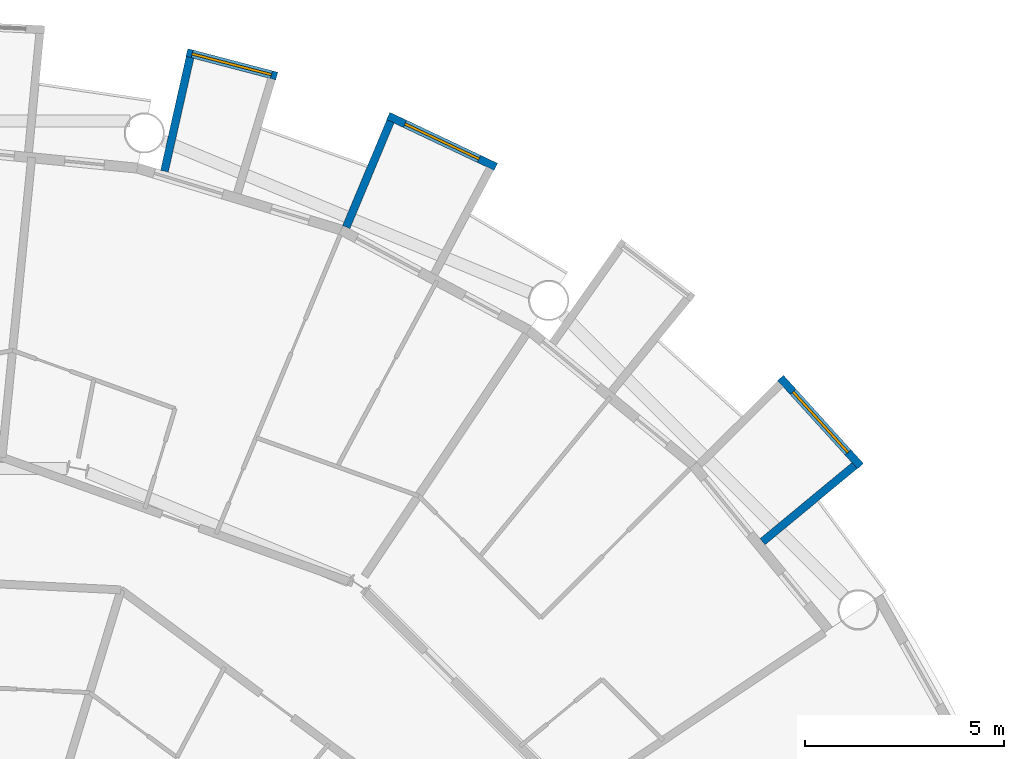
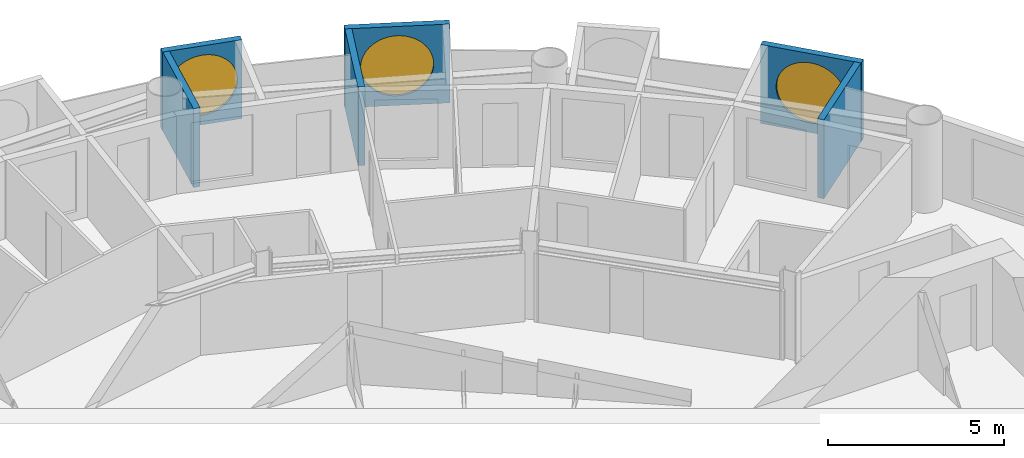
# One storey, part 23 of 26: 6 walls, 3 windows, 3 openings.
"""IFC4 building model written with IfcOpenShell, lengths in metres."""

from ifc_helpers import new_model, si_unit, direction, frame, frame_2d, origin, place, context, subcontext, project, spatial, rectangle, circle, extrude, material, layer, layer_set, type_object, element, fill, save


model = new_model("IFC4")

# Units and contexts
model_context = context("Model", 3, precision=1e-05, world=origin(), true_north=direction((0.0, 1.0)))
body_context = subcontext(model_context, "Body", "Model", "MODEL_VIEW")
ifc_project = project(units=[si_unit("LENGTHUNIT", "METRE"), si_unit("AREAUNIT", "SQUARE_METRE"), si_unit("VOLUMEUNIT", "CUBIC_METRE"), si_unit("PLANEANGLEUNIT", "RADIAN"), si_unit("MASSUNIT", "GRAM", prefix="KILO")], contexts=[model_context])

# Site, building, storey
site_placement = place(None, origin())
site = spatial("IfcSite", under=ifc_project, at=site_placement, CompositionType="ELEMENT")
building_placement = place(site_placement, origin())
building = spatial("IfcBuilding", under=site, at=building_placement, Name="Maasbend Ring Residences", CompositionType="ELEMENT")
storey_placement = place(building_placement, frame((0.0, 0.0, 63.60009765625)))
storey = spatial("IfcBuildingStorey", under=building, at=storey_placement, Name="L17", CompositionType="ELEMENT", Elevation=63.60009765625)

# Wall, opening, window
ifc_material_1 = material(Name="Pale anodised aluminium panel", Category="aluminium")
ifc_layer = layer(ifc_material_1, 0.199951171875)
ifc_layer_set = layer_set([ifc_layer], Name="EW-BOX")
wall_type = type_object("IfcWallType", Name="EW-BOX", PredefinedType="SOLIDWALL", material=ifc_layer_set)
wall_1_placement = place(storey_placement, frame((23.5029296875, 19.281982421875, -0.030029296875), z_axis=(0.0, 0.0, 1.0), x_axis=(-0.671506829416, 0.740998365753, 0.0)))
wall_1 = element("IfcWall", 1, at=wall_1_placement, inside=storey, type_object=wall_type, Name="Box front N02", PredefinedType="SOLIDWALL", context=body_context, shape_type="SweptSolid", body=[
    extrude(rectangle(XDim=2.9931640625, YDim=0.199951171875, at=frame_2d((1.49658203125, 0.0))), origin(), (0.0, 0.0, 1.0), 2.72998046875),
])
opening_1_placement = place(wall_1_placement, frame((0.45654296875, 0.0, 0.330078125)))
opening_1 = element("IfcOpeningElement", 2, at=opening_1_placement, cuts=wall_1, Name="Opening W-RD", PredefinedType="OPENING", context=body_context, shape_type="SweptSolid", body=[
    extrude(circle(Radius=1.0400390625, at=frame_2d((1.0400390625, 1.0400390625))), frame((0.0, 0.10986328125, 0.0), z_axis=(0.0, -1.0, 0.0), x_axis=(1.0, 0.0, 0.0)), (0.0, 0.0, 1.0), 0.219970703125),
])
ifc_material_2 = material(Name="Aluminium and clear glass", Category="aluminium")
window_type = type_object("IfcWindowType", Name="W-RD", PartitioningType="SINGLE_PANEL", PredefinedType="WINDOW", material=ifc_material_2)
window_1_placement = place(opening_1_placement, origin())
window_1 = element("IfcWindow", 3, at=window_1_placement, inside=storey, type_object=window_type, Name="Round window N02", OverallHeight=2.080078125, OverallWidth=2.080078125, PartitioningType="SINGLE_PANEL", PredefinedType="WINDOW", context=body_context, shape_type="SweptSolid", body=[
    extrude(circle(Radius=1.0400390625, at=frame_2d((1.0400390625, 1.0400390625))), frame((0.0, 0.030029296875, 0.0), z_axis=(0.0, -1.0, 0.0), x_axis=(1.0, 0.0, 0.0)), (0.0, 0.0, 1.0), 0.06005859375),
])
fill(opening_1, window_1)

# Wall
wall_2_placement = place(storey_placement, frame((21.041015625, 17.384033203125, -0.030029296875), z_axis=(0.0, 0.0, 1.0), x_axis=(0.770784861449, 0.63709551667, 0.0)))
element("IfcWall", 4, at=wall_2_placement, inside=storey, type_object=wall_type, Name="Box side wall N02 left", PredefinedType="SOLIDWALL", context=body_context, shape_type="SweptSolid", body=[
    extrude(rectangle(XDim=3.005859375, YDim=0.199951171875, at=frame_2d((1.5029296875, 0.0))), origin(), (0.0, 0.0, 1.0), 2.72998046875),
])

# Wall, opening, window
wall_3_placement = place(storey_placement, frame((14.3349609375, 26.80810546875, -0.030029296875), z_axis=(0.0, 0.0, 1.0), x_axis=(-0.904000060331, 0.427532327342, 0.0)))
wall_3 = element("IfcWall", 5, at=wall_3_placement, inside=storey, type_object=wall_type, Name="Box front N06", PredefinedType="SOLIDWALL", context=body_context, shape_type="SweptSolid", body=[
    extrude(rectangle(XDim=2.993408203125, YDim=0.199951171875, at=frame_2d((1.49658203125, 0.0))), origin(), (0.0, 0.0, 1.0), 2.72998046875),
])
opening_2_placement = place(wall_3_placement, frame((0.45654296875, 0.0, 0.330078125)))
opening_2 = element("IfcOpeningElement", 6, at=opening_2_placement, cuts=wall_3, Name="Opening W-RD", PredefinedType="OPENING", context=body_context, shape_type="SweptSolid", body=[
    extrude(circle(Radius=1.0400390625, at=frame_2d((1.0400390625, 1.0400390625))), frame((0.0, 0.10986328125, 0.0), z_axis=(0.0, -1.0, 0.0), x_axis=(1.0, 0.0, 0.0)), (0.0, 0.0, 1.0), 0.219970703125),
])
window_2_placement = place(opening_2_placement, origin())
window_2 = element("IfcWindow", 7, at=window_2_placement, inside=storey, type_object=window_type, Name="Round window N06", OverallHeight=2.080078125, OverallWidth=2.080078125, PartitioningType="SINGLE_PANEL", PredefinedType="WINDOW", context=body_context, shape_type="SweptSolid", body=[
    extrude(circle(Radius=1.0400390625, at=frame_2d((1.0400390625, 1.0400390625))), frame((0.0, 0.030029296875, 0.0), z_axis=(0.0, -1.0, 0.0), x_axis=(1.0, 0.0, 0.0)), (0.0, 0.0, 1.0), 0.06005859375),
])
fill(opening_2, window_2)

# Wall
wall_4_placement = place(storey_placement, frame((10.574951171875, 25.294921875, -0.030029296875), z_axis=(0.0, 0.0, 1.0), x_axis=(0.385697364644, 0.922625353492, 0.0)))
element("IfcWall", 8, at=wall_4_placement, inside=storey, type_object=wall_type, Name="Box side wall N06 right", PredefinedType="SOLIDWALL", context=body_context, shape_type="SweptSolid", body=[
    extrude(rectangle(XDim=2.88330078125, YDim=0.199951171875, at=frame_2d((1.441650390625, 0.0))), origin(), (0.0, 0.0, 1.0), 2.72998046875),
])

# Wall, opening, window
wall_5_placement = place(storey_placement, frame((8.827880859375, 29.090087890625, -0.030029296875), z_axis=(0.0, 0.0, 1.0), x_axis=(-0.967377102346, 0.253340762326, 0.0)))
wall_5 = element("IfcWall", 9, at=wall_5_placement, inside=storey, type_object=wall_type, Name="Box front N08", PredefinedType="SOLIDWALL", context=body_context, shape_type="SweptSolid", body=[
    extrude(rectangle(XDim=2.3359375, YDim=0.199951171875, at=frame_2d((1.16796875, 0.0))), origin(), (0.0, 0.0, 1.0), 2.72998046875),
])
opening_3_placement = place(wall_5_placement, frame((0.128173828125, 0.0, 0.330078125)))
opening_3 = element("IfcOpeningElement", 10, at=opening_3_placement, cuts=wall_5, Name="Opening W-RD", PredefinedType="OPENING", context=body_context, shape_type="SweptSolid", body=[
    extrude(circle(Radius=1.0400390625, at=frame_2d((1.0400390625, 1.0400390625))), frame((0.0, 0.10986328125, 0.0), z_axis=(0.0, -1.0, 0.0), x_axis=(1.0, 0.0, 0.0)), (0.0, 0.0, 1.0), 0.219970703125),
])
window_3_placement = place(opening_3_placement, origin())
window_3 = element("IfcWindow", 11, at=window_3_placement, inside=storey, type_object=window_type, Name="Round window N08", OverallHeight=2.080078125, OverallWidth=2.080078125, PartitioningType="SINGLE_PANEL", PredefinedType="WINDOW", context=body_context, shape_type="SweptSolid", body=[
    extrude(circle(Radius=1.0400390625, at=frame_2d((1.0400390625, 1.0400390625))), frame((0.0, 0.030029296875, 0.0), z_axis=(0.0, -1.0, 0.0), x_axis=(1.0, 0.0, 0.0)), (0.0, 0.0, 1.0), 0.06005859375),
])
fill(opening_3, window_3)

# Wall
wall_6_placement = place(storey_placement, frame((6.00390625, 26.699951171875, -0.030029296875), z_axis=(0.0, 0.0, 1.0), x_axis=(0.219609259383, 0.975587911566, 0.0)))
element("IfcWall", 12, at=wall_6_placement, inside=storey, type_object=wall_type, Name="Box side wall N08 right", PredefinedType="SOLIDWALL", context=body_context, shape_type="SweptSolid", body=[
    extrude(rectangle(XDim=2.9326171875, YDim=0.199951171875, at=frame_2d((1.46630859375, 0.0))), origin(), (0.0, 0.0, 1.0), 2.72998046875),
])

save(model, "model.ifc")
